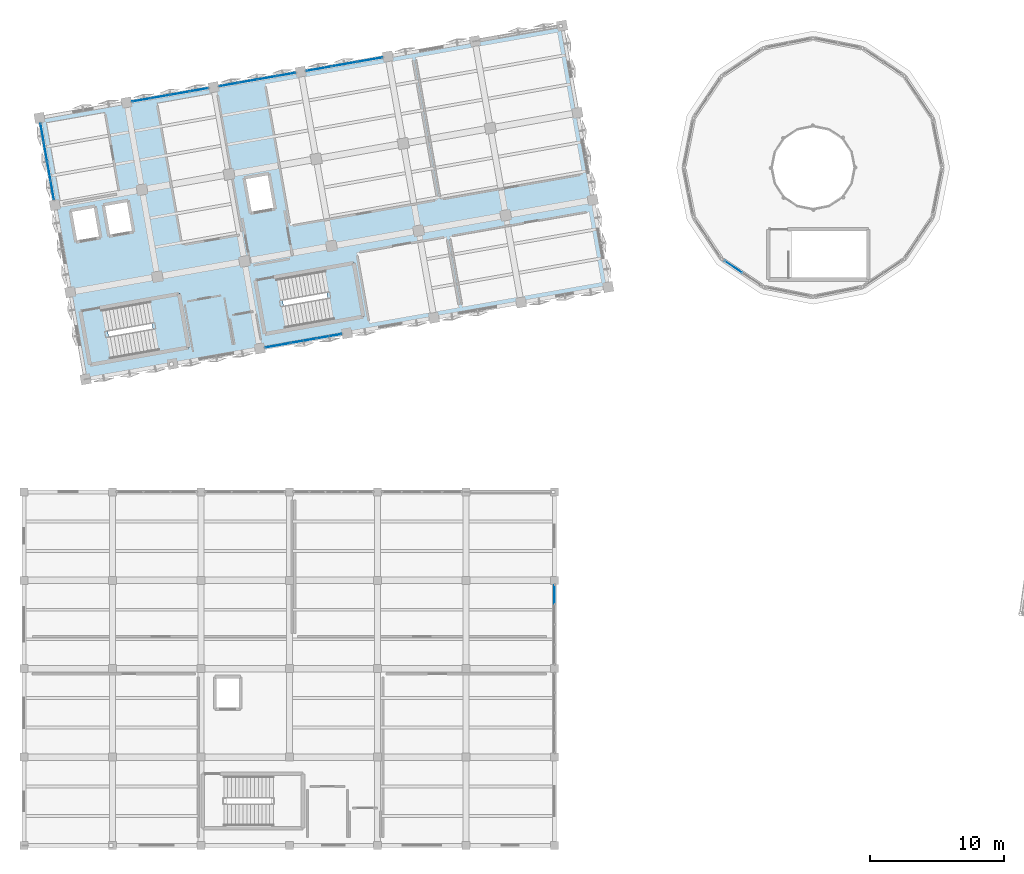
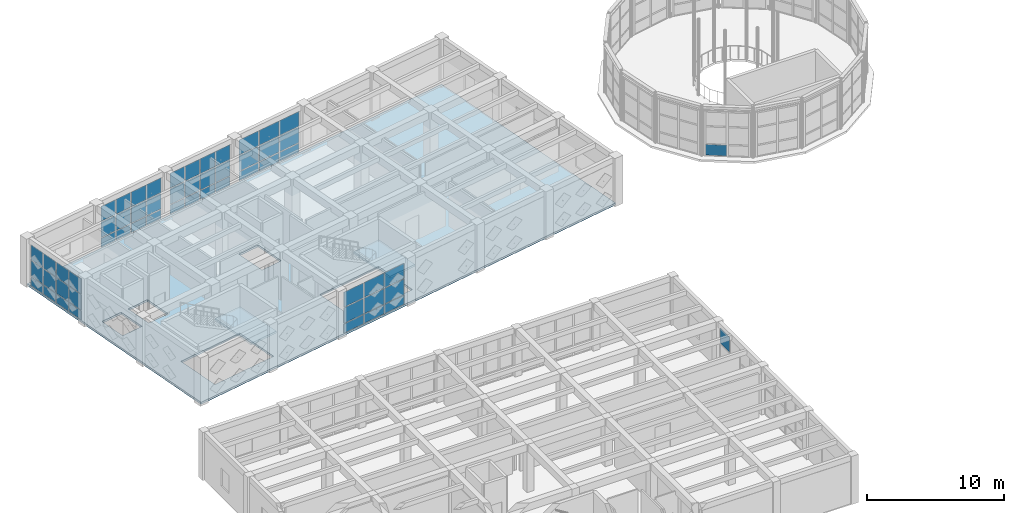
# One storey, part 53 of 80: 56 plates, 3 slabs, 9 elements without a shape of their own.
"""IFC4 building model written with IfcOpenShell, lengths in metres."""

from ifc_helpers import new_model, si_unit, direction, frame, origin, origin_2d, place, context, subcontext, project, spatial, polyline, rectangle, outline, extrude, material, layer, layer_set, type_object, element, aggregate, save


model = new_model("IFC4")

# Units and contexts
model_context = context("Model", 3, precision=1e-05, world=origin(), true_north=direction((0.0, 1.0)))
body_context = subcontext(model_context, "Body", "Model", "MODEL_VIEW")
ifc_project = project(units=[si_unit("LENGTHUNIT", "METRE"), si_unit("AREAUNIT", "SQUARE_METRE"), si_unit("VOLUMEUNIT", "CUBIC_METRE"), si_unit("PLANEANGLEUNIT", "RADIAN"), si_unit("MASSUNIT", "GRAM", prefix="KILO")], contexts=[model_context])

# Site, building, storey
site_placement = place(None, origin())
site = spatial("IfcSite", under=ifc_project, at=site_placement, CompositionType="ELEMENT")
building_placement = place(site_placement, origin())
building = spatial("IfcBuilding", under=site, at=building_placement, Name="Kharisveld Research Institute", CompositionType="ELEMENT")
storey_placement = place(building_placement, frame((0.0, 0.0, 5.10009765625)))
storey = spatial("IfcBuildingStorey", under=building, at=storey_placement, Name="L01", CompositionType="ELEMENT", Elevation=5.10009765625)

# Curtain wall, plates
ifc_material_1 = material(Name="Thermally Broken Aluminium Curtain Wall", Category="aluminium")
ifc_layer_1 = layer(ifc_material_1, 0.159912109375)
ifc_layer_set_1 = layer_set([ifc_layer_1], Name="CW_SYS_02")
curtain_wall_type_1 = type_object("IfcCurtainWallType", Name="CW_SYS_02", PredefinedType="NOTDEFINED", material=ifc_layer_set_1)
curtain_wall_1_placement = place(storey_placement, origin())
curtain_wall_1 = element("IfcCurtainWall", 1, at=curtain_wall_1_placement, inside=storey, type_object=curtain_wall_type_1, Name="CW:V1:L01:W2", PredefinedType="NOTDEFINED")
ifc_material_2 = material(Name="Low-E Double Glazing", Category="glass")
ifc_layer_2 = layer(ifc_material_2, 0.028076171875)
ifc_layer_set_2 = layer_set([ifc_layer_2], Name="CW_PNL_GLZ")
plate_type_1 = type_object("IfcPlateType", Name="CW_PNL_GLZ", PredefinedType="CURTAIN_PANEL", material=ifc_layer_set_2)
plate_1_placement = place(storey_placement, frame((2.71337890625, 49.112548828125, 0.06494140625), z_axis=(0.0, 0.0, 1.0), x_axis=(-0.173648107969, 0.984807765302, 0.0)))
plate_1 = element("IfcPlate", 2, at=plate_1_placement, type_object=plate_type_1, Name="CW-02 panel 1.1", PredefinedType="CURTAIN_PANEL", context=body_context, shape_type="SweptSolid", body=[
    extrude(rectangle(XDim=1.360107421875, YDim=0.028076171875, at=origin_2d()), origin(), (0.0, 0.0, 1.0), 0.802490234375),
])
plate_2_placement = place(storey_placement, frame((2.71337890625, 49.112548828125, 0.9326171875), z_axis=(0.0, 0.0, 1.0), x_axis=(-0.173648107969, 0.984807765302, 0.0)))
plate_2 = element("IfcPlate", 3, at=plate_2_placement, type_object=plate_type_1, Name="CW-02 panel 1.2", PredefinedType="CURTAIN_PANEL", context=body_context, shape_type="SweptSolid", body=[
    extrude(rectangle(XDim=1.360107421875, YDim=0.028076171875, at=origin_2d()), origin(), (0.0, 0.0, 1.0), 1.385009765625),
])
plate_3_placement = place(storey_placement, frame((2.71337890625, 49.112548828125, 2.38232421875), z_axis=(0.0, 0.0, 1.0), x_axis=(-0.173648107969, 0.984807765302, 0.0)))
plate_3 = element("IfcPlate", 4, at=plate_3_placement, type_object=plate_type_1, Name="CW-02 panel 1.3", PredefinedType="CURTAIN_PANEL", context=body_context, shape_type="SweptSolid", body=[
    extrude(rectangle(XDim=1.360107421875, YDim=0.028076171875, at=origin_2d()), origin(), (0.0, 0.0, 1.0), 1.33251953125),
])
plate_4_placement = place(storey_placement, frame((2.4619140625, 50.537841796875, 0.06494140625), z_axis=(0.0, 0.0, 1.0), x_axis=(-0.173648107969, 0.984807765302, 0.0)))
plate_4 = element("IfcPlate", 5, at=plate_4_placement, type_object=plate_type_1, Name="CW-02 panel 2.1", PredefinedType="CURTAIN_PANEL", context=body_context, shape_type="SweptSolid", body=[
    extrude(rectangle(XDim=1.39501953125, YDim=0.028076171875, at=origin_2d()), origin(), (0.0, 0.0, 1.0), 0.802490234375),
])
plate_5_placement = place(storey_placement, frame((2.4619140625, 50.537841796875, 0.9326171875), z_axis=(0.0, 0.0, 1.0), x_axis=(-0.173648107969, 0.984807765302, 0.0)))
plate_5 = element("IfcPlate", 6, at=plate_5_placement, type_object=plate_type_1, Name="CW-02 panel 2.2", PredefinedType="CURTAIN_PANEL", context=body_context, shape_type="SweptSolid", body=[
    extrude(rectangle(XDim=1.39501953125, YDim=0.028076171875, at=origin_2d()), origin(), (0.0, 0.0, 1.0), 1.385009765625),
])
plate_6_placement = place(storey_placement, frame((2.4619140625, 50.537841796875, 2.38232421875), z_axis=(0.0, 0.0, 1.0), x_axis=(-0.173648107969, 0.984807765302, 0.0)))
plate_6 = element("IfcPlate", 7, at=plate_6_placement, type_object=plate_type_1, Name="CW-02 panel 2.3", PredefinedType="CURTAIN_PANEL", context=body_context, shape_type="SweptSolid", body=[
    extrude(rectangle(XDim=1.39501953125, YDim=0.028076171875, at=origin_2d()), origin(), (0.0, 0.0, 1.0), 1.33251953125),
])
plate_7_placement = place(storey_placement, frame((2.20751953125, 51.980712890625, 0.06494140625), z_axis=(0.0, 0.0, 1.0), x_axis=(-0.173648107969, 0.984807765302, 0.0)))
plate_7 = element("IfcPlate", 8, at=plate_7_placement, type_object=plate_type_1, Name="CW-02 panel 3.1", PredefinedType="CURTAIN_PANEL", context=body_context, shape_type="SweptSolid", body=[
    extrude(rectangle(XDim=1.39501953125, YDim=0.028076171875, at=origin_2d()), origin(), (0.0, 0.0, 1.0), 0.802490234375),
])
plate_8_placement = place(storey_placement, frame((2.20751953125, 51.980712890625, 0.9326171875), z_axis=(0.0, 0.0, 1.0), x_axis=(-0.173648107969, 0.984807765302, 0.0)))
plate_8 = element("IfcPlate", 9, at=plate_8_placement, type_object=plate_type_1, Name="CW-02 panel 3.2", PredefinedType="CURTAIN_PANEL", context=body_context, shape_type="SweptSolid", body=[
    extrude(rectangle(XDim=1.39501953125, YDim=0.028076171875, at=origin_2d()), origin(), (0.0, 0.0, 1.0), 1.385009765625),
])
plate_9_placement = place(storey_placement, frame((2.20751953125, 51.980712890625, 2.38232421875), z_axis=(0.0, 0.0, 1.0), x_axis=(-0.173648107969, 0.984807765302, 0.0)))
plate_9 = element("IfcPlate", 10, at=plate_9_placement, type_object=plate_type_1, Name="CW-02 panel 3.3", PredefinedType="CURTAIN_PANEL", context=body_context, shape_type="SweptSolid", body=[
    extrude(rectangle(XDim=1.39501953125, YDim=0.028076171875, at=origin_2d()), origin(), (0.0, 0.0, 1.0), 1.33251953125),
])
plate_10_placement = place(storey_placement, frame((1.956298828125, 53.40625, 0.06494140625), z_axis=(0.0, 0.0, 1.0), x_axis=(-0.173648107969, 0.984807765302, 0.0)))
plate_10 = element("IfcPlate", 11, at=plate_10_placement, type_object=plate_type_1, Name="CW-02 panel 4.1", PredefinedType="CURTAIN_PANEL", context=body_context, shape_type="SweptSolid", body=[
    extrude(rectangle(XDim=1.360107421875, YDim=0.028076171875, at=origin_2d()), origin(), (0.0, 0.0, 1.0), 0.802490234375),
])
plate_11_placement = place(storey_placement, frame((1.956298828125, 53.40625, 0.9326171875), z_axis=(0.0, 0.0, 1.0), x_axis=(-0.173648107969, 0.984807765302, 0.0)))
plate_11 = element("IfcPlate", 12, at=plate_11_placement, type_object=plate_type_1, Name="CW-02 panel 4.2", PredefinedType="CURTAIN_PANEL", context=body_context, shape_type="SweptSolid", body=[
    extrude(rectangle(XDim=1.360107421875, YDim=0.028076171875, at=origin_2d()), origin(), (0.0, 0.0, 1.0), 1.385009765625),
])
plate_12_placement = place(storey_placement, frame((1.956298828125, 53.40625, 2.38232421875), z_axis=(0.0, 0.0, 1.0), x_axis=(-0.173648107969, 0.984807765302, 0.0)))
plate_12 = element("IfcPlate", 13, at=plate_12_placement, type_object=plate_type_1, Name="CW-02 panel 4.3", PredefinedType="CURTAIN_PANEL", context=body_context, shape_type="SweptSolid", body=[
    extrude(rectangle(XDim=1.360107421875, YDim=0.028076171875, at=origin_2d()), origin(), (0.0, 0.0, 1.0), 1.33251953125),
])
aggregate(curtain_wall_1, [plate_1, plate_2, plate_3, plate_4, plate_5, plate_6, plate_7, plate_8, plate_9, plate_10, plate_11, plate_12])

ifc_material_3 = material(Name="Thermally Broken Aluminium Curtain Wall", Category="aluminium")
ifc_layer_3 = layer(ifc_material_3, 0.159912109375)
ifc_layer_set_3 = layer_set([ifc_layer_3], Name="CW_SYS_03")
curtain_wall_type_2 = type_object("IfcCurtainWallType", Name="CW_SYS_03", PredefinedType="NOTDEFINED", material=ifc_layer_set_3)
curtain_wall_2_placement = place(storey_placement, origin())
curtain_wall_2 = element("IfcCurtainWall", 14, at=curtain_wall_2_placement, inside=storey, type_object=curtain_wall_type_2, Name="CW:V1:L01:N1", PredefinedType="NOTDEFINED")
plate_13_placement = place(storey_placement, frame((9.364501953125, 55.849853515625, 0.06494140625), z_axis=(0.0, 0.0, 1.0), x_axis=(0.984807760159, 0.173648137137, 0.0)))
plate_13 = element("IfcPlate", 15, at=plate_13_placement, type_object=plate_type_1, Name="CW-03 panel 1.1", PredefinedType="CURTAIN_PANEL", context=body_context, shape_type="SweptSolid", body=[
    extrude(rectangle(XDim=1.360107421875, YDim=0.028076171875, at=origin_2d()), origin(), (0.0, 0.0, 1.0), 0.802490234375),
])
plate_14_placement = place(storey_placement, frame((9.364501953125, 55.849853515625, 0.9326171875), z_axis=(0.0, 0.0, 1.0), x_axis=(0.984807760159, 0.173648137137, 0.0)))
plate_14 = element("IfcPlate", 16, at=plate_14_placement, type_object=plate_type_1, Name="CW-03 panel 1.2", PredefinedType="CURTAIN_PANEL", context=body_context, shape_type="SweptSolid", body=[
    extrude(rectangle(XDim=1.360107421875, YDim=0.028076171875, at=origin_2d()), origin(), (0.0, 0.0, 1.0), 1.385009765625),
])
plate_15_placement = place(storey_placement, frame((9.364501953125, 55.849853515625, 2.38232421875), z_axis=(0.0, 0.0, 1.0), x_axis=(0.984807760159, 0.173648137137, 0.0)))
plate_15 = element("IfcPlate", 17, at=plate_15_placement, type_object=plate_type_1, Name="CW-03 panel 1.3", PredefinedType="CURTAIN_PANEL", context=body_context, shape_type="SweptSolid", body=[
    extrude(rectangle(XDim=1.360107421875, YDim=0.028076171875, at=origin_2d()), origin(), (0.0, 0.0, 1.0), 1.33251953125),
])
plate_16_placement = place(storey_placement, frame((10.7900390625, 56.10107421875, 0.06494140625), z_axis=(0.0, 0.0, 1.0), x_axis=(0.984807760159, 0.173648137137, 0.0)))
plate_16 = element("IfcPlate", 18, at=plate_16_placement, type_object=plate_type_1, Name="CW-03 panel 2.1", PredefinedType="CURTAIN_PANEL", context=body_context, shape_type="SweptSolid", body=[
    extrude(rectangle(XDim=1.39501953125, YDim=0.028076171875, at=origin_2d()), origin(), (0.0, 0.0, 1.0), 0.802490234375),
])
plate_17_placement = place(storey_placement, frame((10.7900390625, 56.10107421875, 0.9326171875), z_axis=(0.0, 0.0, 1.0), x_axis=(0.984807760159, 0.173648137137, 0.0)))
plate_17 = element("IfcPlate", 19, at=plate_17_placement, type_object=plate_type_1, Name="CW-03 panel 2.2", PredefinedType="CURTAIN_PANEL", context=body_context, shape_type="SweptSolid", body=[
    extrude(rectangle(XDim=1.39501953125, YDim=0.028076171875, at=origin_2d()), origin(), (0.0, 0.0, 1.0), 1.385009765625),
])
plate_18_placement = place(storey_placement, frame((10.7900390625, 56.10107421875, 2.38232421875), z_axis=(0.0, 0.0, 1.0), x_axis=(0.984807760159, 0.173648137137, 0.0)))
plate_18 = element("IfcPlate", 20, at=plate_18_placement, type_object=plate_type_1, Name="CW-03 panel 2.3", PredefinedType="CURTAIN_PANEL", context=body_context, shape_type="SweptSolid", body=[
    extrude(rectangle(XDim=1.39501953125, YDim=0.028076171875, at=origin_2d()), origin(), (0.0, 0.0, 1.0), 1.33251953125),
])
plate_19_placement = place(storey_placement, frame((12.232666015625, 56.35546875, 0.06494140625), z_axis=(0.0, 0.0, 1.0), x_axis=(0.984807760159, 0.173648137137, 0.0)))
plate_19 = element("IfcPlate", 21, at=plate_19_placement, type_object=plate_type_1, Name="CW-03 panel 3.1", PredefinedType="CURTAIN_PANEL", context=body_context, shape_type="SweptSolid", body=[
    extrude(rectangle(XDim=1.39501953125, YDim=0.028076171875, at=origin_2d()), origin(), (0.0, 0.0, 1.0), 0.802490234375),
])
plate_20_placement = place(storey_placement, frame((12.232666015625, 56.35546875, 0.9326171875), z_axis=(0.0, 0.0, 1.0), x_axis=(0.984807760159, 0.173648137137, 0.0)))
plate_20 = element("IfcPlate", 22, at=plate_20_placement, type_object=plate_type_1, Name="CW-03 panel 3.2", PredefinedType="CURTAIN_PANEL", context=body_context, shape_type="SweptSolid", body=[
    extrude(rectangle(XDim=1.39501953125, YDim=0.028076171875, at=origin_2d()), origin(), (0.0, 0.0, 1.0), 1.385009765625),
])
plate_21_placement = place(storey_placement, frame((12.232666015625, 56.35546875, 2.38232421875), z_axis=(0.0, 0.0, 1.0), x_axis=(0.984807760159, 0.173648137137, 0.0)))
plate_21 = element("IfcPlate", 23, at=plate_21_placement, type_object=plate_type_1, Name="CW-03 panel 3.3", PredefinedType="CURTAIN_PANEL", context=body_context, shape_type="SweptSolid", body=[
    extrude(rectangle(XDim=1.39501953125, YDim=0.028076171875, at=origin_2d()), origin(), (0.0, 0.0, 1.0), 1.33251953125),
])
plate_22_placement = place(storey_placement, frame((13.658203125, 56.60693359375, 0.06494140625), z_axis=(0.0, 0.0, 1.0), x_axis=(0.984807760159, 0.173648137137, 0.0)))
plate_22 = element("IfcPlate", 24, at=plate_22_placement, type_object=plate_type_1, Name="CW-03 panel 4.1", PredefinedType="CURTAIN_PANEL", context=body_context, shape_type="SweptSolid", body=[
    extrude(rectangle(XDim=1.360107421875, YDim=0.028076171875, at=origin_2d()), origin(), (0.0, 0.0, 1.0), 0.802490234375),
])
plate_23_placement = place(storey_placement, frame((13.658203125, 56.60693359375, 0.9326171875), z_axis=(0.0, 0.0, 1.0), x_axis=(0.984807760159, 0.173648137137, 0.0)))
plate_23 = element("IfcPlate", 25, at=plate_23_placement, type_object=plate_type_1, Name="CW-03 panel 4.2", PredefinedType="CURTAIN_PANEL", context=body_context, shape_type="SweptSolid", body=[
    extrude(rectangle(XDim=1.360107421875, YDim=0.028076171875, at=origin_2d()), origin(), (0.0, 0.0, 1.0), 1.385009765625),
])
plate_24_placement = place(storey_placement, frame((13.658203125, 56.60693359375, 2.38232421875), z_axis=(0.0, 0.0, 1.0), x_axis=(0.984807760159, 0.173648137137, 0.0)))
plate_24 = element("IfcPlate", 26, at=plate_24_placement, type_object=plate_type_1, Name="CW-03 panel 4.3", PredefinedType="CURTAIN_PANEL", context=body_context, shape_type="SweptSolid", body=[
    extrude(rectangle(XDim=1.360107421875, YDim=0.028076171875, at=origin_2d()), origin(), (0.0, 0.0, 1.0), 1.33251953125),
])
aggregate(curtain_wall_2, [plate_13, plate_14, plate_15, plate_16, plate_17, plate_18, plate_19, plate_20, plate_21, plate_22, plate_23, plate_24])

ifc_material_4 = material(Name="Thermally Broken Aluminium Curtain Wall", Category="aluminium")
ifc_layer_4 = layer(ifc_material_4, 0.159912109375)
ifc_layer_set_4 = layer_set([ifc_layer_4], Name="CW_SYS_04")
curtain_wall_type_3 = type_object("IfcCurtainWallType", Name="CW_SYS_04", PredefinedType="NOTDEFINED", material=ifc_layer_set_4)
curtain_wall_3_placement = place(storey_placement, origin())
curtain_wall_3 = element("IfcCurtainWall", 27, at=curtain_wall_3_placement, inside=storey, type_object=curtain_wall_type_3, Name="CW:V1:L01:N2", PredefinedType="NOTDEFINED")
plate_25_placement = place(storey_placement, frame((15.8642578125, 56.995849609375, 0.06494140625), z_axis=(0.0, 0.0, 1.0), x_axis=(0.984807765302, 0.173648107969, 0.0)))
plate_25 = element("IfcPlate", 28, at=plate_25_placement, type_object=plate_type_1, Name="CW-04 panel 1.1", PredefinedType="CURTAIN_PANEL", context=body_context, shape_type="SweptSolid", body=[
    extrude(rectangle(XDim=1.360107421875, YDim=0.028076171875, at=origin_2d()), origin(), (0.0, 0.0, 1.0), 0.802490234375),
])
plate_26_placement = place(storey_placement, frame((15.8642578125, 56.995849609375, 0.9326171875), z_axis=(0.0, 0.0, 1.0), x_axis=(0.984807765302, 0.173648107969, 0.0)))
plate_26 = element("IfcPlate", 29, at=plate_26_placement, type_object=plate_type_1, Name="CW-04 panel 1.2", PredefinedType="CURTAIN_PANEL", context=body_context, shape_type="SweptSolid", body=[
    extrude(rectangle(XDim=1.360107421875, YDim=0.028076171875, at=origin_2d()), origin(), (0.0, 0.0, 1.0), 1.385009765625),
])
plate_27_placement = place(storey_placement, frame((15.8642578125, 56.995849609375, 2.38232421875), z_axis=(0.0, 0.0, 1.0), x_axis=(0.984807765302, 0.173648107969, 0.0)))
plate_27 = element("IfcPlate", 30, at=plate_27_placement, type_object=plate_type_1, Name="CW-04 panel 1.3", PredefinedType="CURTAIN_PANEL", context=body_context, shape_type="SweptSolid", body=[
    extrude(rectangle(XDim=1.360107421875, YDim=0.028076171875, at=origin_2d()), origin(), (0.0, 0.0, 1.0), 1.33251953125),
])
plate_28_placement = place(storey_placement, frame((17.289794921875, 57.2470703125, 0.06494140625), z_axis=(0.0, 0.0, 1.0), x_axis=(0.984807765302, 0.173648107969, 0.0)))
plate_28 = element("IfcPlate", 31, at=plate_28_placement, type_object=plate_type_1, Name="CW-04 panel 2.1", PredefinedType="CURTAIN_PANEL", context=body_context, shape_type="SweptSolid", body=[
    extrude(rectangle(XDim=1.39501953125, YDim=0.028076171875, at=origin_2d()), origin(), (0.0, 0.0, 1.0), 0.802490234375),
])
plate_29_placement = place(storey_placement, frame((17.289794921875, 57.2470703125, 0.9326171875), z_axis=(0.0, 0.0, 1.0), x_axis=(0.984807765302, 0.173648107969, 0.0)))
plate_29 = element("IfcPlate", 32, at=plate_29_placement, type_object=plate_type_1, Name="CW-04 panel 2.2", PredefinedType="CURTAIN_PANEL", context=body_context, shape_type="SweptSolid", body=[
    extrude(rectangle(XDim=1.39501953125, YDim=0.028076171875, at=origin_2d()), origin(), (0.0, 0.0, 1.0), 1.385009765625),
])
plate_30_placement = place(storey_placement, frame((17.289794921875, 57.2470703125, 2.38232421875), z_axis=(0.0, 0.0, 1.0), x_axis=(0.984807765302, 0.173648107969, 0.0)))
plate_30 = element("IfcPlate", 33, at=plate_30_placement, type_object=plate_type_1, Name="CW-04 panel 2.3", PredefinedType="CURTAIN_PANEL", context=body_context, shape_type="SweptSolid", body=[
    extrude(rectangle(XDim=1.39501953125, YDim=0.028076171875, at=origin_2d()), origin(), (0.0, 0.0, 1.0), 1.33251953125),
])
plate_31_placement = place(storey_placement, frame((18.732421875, 57.50146484375, 0.06494140625), z_axis=(0.0, 0.0, 1.0), x_axis=(0.984807765302, 0.173648107969, 0.0)))
plate_31 = element("IfcPlate", 34, at=plate_31_placement, type_object=plate_type_1, Name="CW-04 panel 3.1", PredefinedType="CURTAIN_PANEL", context=body_context, shape_type="SweptSolid", body=[
    extrude(rectangle(XDim=1.39501953125, YDim=0.028076171875, at=origin_2d()), origin(), (0.0, 0.0, 1.0), 0.802490234375),
])
plate_32_placement = place(storey_placement, frame((18.732421875, 57.50146484375, 0.9326171875), z_axis=(0.0, 0.0, 1.0), x_axis=(0.984807765302, 0.173648107969, 0.0)))
plate_32 = element("IfcPlate", 35, at=plate_32_placement, type_object=plate_type_1, Name="CW-04 panel 3.2", PredefinedType="CURTAIN_PANEL", context=body_context, shape_type="SweptSolid", body=[
    extrude(rectangle(XDim=1.39501953125, YDim=0.028076171875, at=origin_2d()), origin(), (0.0, 0.0, 1.0), 1.385009765625),
])
plate_33_placement = place(storey_placement, frame((18.732421875, 57.50146484375, 2.38232421875), z_axis=(0.0, 0.0, 1.0), x_axis=(0.984807765302, 0.173648107969, 0.0)))
plate_33 = element("IfcPlate", 36, at=plate_33_placement, type_object=plate_type_1, Name="CW-04 panel 3.3", PredefinedType="CURTAIN_PANEL", context=body_context, shape_type="SweptSolid", body=[
    extrude(rectangle(XDim=1.39501953125, YDim=0.028076171875, at=origin_2d()), origin(), (0.0, 0.0, 1.0), 1.33251953125),
])
plate_34_placement = place(storey_placement, frame((20.157958984375, 57.7529296875, 0.06494140625), z_axis=(0.0, 0.0, 1.0), x_axis=(0.984807765302, 0.173648107969, 0.0)))
plate_34 = element("IfcPlate", 37, at=plate_34_placement, type_object=plate_type_1, Name="CW-04 panel 4.1", PredefinedType="CURTAIN_PANEL", context=body_context, shape_type="SweptSolid", body=[
    extrude(rectangle(XDim=1.360107421875, YDim=0.028076171875, at=origin_2d()), origin(), (0.0, 0.0, 1.0), 0.802490234375),
])
plate_35_placement = place(storey_placement, frame((20.157958984375, 57.7529296875, 0.9326171875), z_axis=(0.0, 0.0, 1.0), x_axis=(0.984807765302, 0.173648107969, 0.0)))
plate_35 = element("IfcPlate", 38, at=plate_35_placement, type_object=plate_type_1, Name="CW-04 panel 4.2", PredefinedType="CURTAIN_PANEL", context=body_context, shape_type="SweptSolid", body=[
    extrude(rectangle(XDim=1.360107421875, YDim=0.028076171875, at=origin_2d()), origin(), (0.0, 0.0, 1.0), 1.385009765625),
])
plate_36_placement = place(storey_placement, frame((20.157958984375, 57.7529296875, 2.38232421875), z_axis=(0.0, 0.0, 1.0), x_axis=(0.984807765302, 0.173648107969, 0.0)))
plate_36 = element("IfcPlate", 39, at=plate_36_placement, type_object=plate_type_1, Name="CW-04 panel 4.3", PredefinedType="CURTAIN_PANEL", context=body_context, shape_type="SweptSolid", body=[
    extrude(rectangle(XDim=1.360107421875, YDim=0.028076171875, at=origin_2d()), origin(), (0.0, 0.0, 1.0), 1.33251953125),
])
aggregate(curtain_wall_3, [plate_25, plate_26, plate_27, plate_28, plate_29, plate_30, plate_31, plate_32, plate_33, plate_34, plate_35, plate_36])

ifc_material_5 = material(Name="Thermally Broken Aluminium Curtain Wall", Category="aluminium")
ifc_layer_5 = layer(ifc_material_5, 0.159912109375)
ifc_layer_set_5 = layer_set([ifc_layer_5], Name="CW_SYS_05")
curtain_wall_type_4 = type_object("IfcCurtainWallType", Name="CW_SYS_05", PredefinedType="NOTDEFINED", material=ifc_layer_set_5)
curtain_wall_4_placement = place(storey_placement, origin())
curtain_wall_4 = element("IfcCurtainWall", 40, at=curtain_wall_4_placement, inside=storey, type_object=curtain_wall_type_4, Name="CW:V1:L01:N3", PredefinedType="NOTDEFINED")
plate_37_placement = place(storey_placement, frame((22.6044921875, 58.184326171875, 0.06494140625), z_axis=(0.0, 0.0, 1.0), x_axis=(0.984807760159, 0.173648137137, 0.0)))
plate_37 = element("IfcPlate", 41, at=plate_37_placement, type_object=plate_type_1, Name="CW-05 panel 1.1", PredefinedType="CURTAIN_PANEL", context=body_context, shape_type="SweptSolid", body=[
    extrude(rectangle(XDim=1.848388671875, YDim=0.028076171875, at=origin_2d()), origin(), (0.0, 0.0, 1.0), 0.802490234375),
])
plate_38_placement = place(storey_placement, frame((22.6044921875, 58.184326171875, 0.9326171875), z_axis=(0.0, 0.0, 1.0), x_axis=(0.984807760159, 0.173648137137, 0.0)))
plate_38 = element("IfcPlate", 42, at=plate_38_placement, type_object=plate_type_1, Name="CW-05 panel 1.2", PredefinedType="CURTAIN_PANEL", context=body_context, shape_type="SweptSolid", body=[
    extrude(rectangle(XDim=1.848388671875, YDim=0.028076171875, at=origin_2d()), origin(), (0.0, 0.0, 1.0), 1.385009765625),
])
plate_39_placement = place(storey_placement, frame((22.6044921875, 58.184326171875, 2.38232421875), z_axis=(0.0, 0.0, 1.0), x_axis=(0.984807760159, 0.173648137137, 0.0)))
plate_39 = element("IfcPlate", 43, at=plate_39_placement, type_object=plate_type_1, Name="CW-05 panel 1.3", PredefinedType="CURTAIN_PANEL", context=body_context, shape_type="SweptSolid", body=[
    extrude(rectangle(XDim=1.848388671875, YDim=0.028076171875, at=origin_2d()), origin(), (0.0, 0.0, 1.0), 1.33251953125),
])
plate_40_placement = place(storey_placement, frame((24.5107421875, 58.5205078125, 0.06494140625), z_axis=(0.0, 0.0, 1.0), x_axis=(0.984807760159, 0.173648137137, 0.0)))
plate_40 = element("IfcPlate", 44, at=plate_40_placement, type_object=plate_type_1, Name="CW-05 panel 2.1", PredefinedType="CURTAIN_PANEL", context=body_context, shape_type="SweptSolid", body=[
    extrude(rectangle(XDim=1.88330078125, YDim=0.028076171875, at=origin_2d()), origin(), (0.0, 0.0, 1.0), 0.802490234375),
])
plate_41_placement = place(storey_placement, frame((24.5107421875, 58.5205078125, 0.9326171875), z_axis=(0.0, 0.0, 1.0), x_axis=(0.984807760159, 0.173648137137, 0.0)))
plate_41 = element("IfcPlate", 45, at=plate_41_placement, type_object=plate_type_1, Name="CW-05 panel 2.2", PredefinedType="CURTAIN_PANEL", context=body_context, shape_type="SweptSolid", body=[
    extrude(rectangle(XDim=1.88330078125, YDim=0.028076171875, at=origin_2d()), origin(), (0.0, 0.0, 1.0), 1.385009765625),
])
plate_42_placement = place(storey_placement, frame((24.5107421875, 58.5205078125, 2.38232421875), z_axis=(0.0, 0.0, 1.0), x_axis=(0.984807760159, 0.173648137137, 0.0)))
plate_42 = element("IfcPlate", 46, at=plate_42_placement, type_object=plate_type_1, Name="CW-05 panel 2.3", PredefinedType="CURTAIN_PANEL", context=body_context, shape_type="SweptSolid", body=[
    extrude(rectangle(XDim=1.88330078125, YDim=0.028076171875, at=origin_2d()), origin(), (0.0, 0.0, 1.0), 1.33251953125),
])
plate_43_placement = place(storey_placement, frame((26.417236328125, 58.856689453125, 0.06494140625), z_axis=(0.0, 0.0, 1.0), x_axis=(0.984807760159, 0.173648137137, 0.0)))
plate_43 = element("IfcPlate", 47, at=plate_43_placement, type_object=plate_type_1, Name="CW-05 panel 3.1", PredefinedType="CURTAIN_PANEL", context=body_context, shape_type="SweptSolid", body=[
    extrude(rectangle(XDim=1.848388671875, YDim=0.028076171875, at=origin_2d()), origin(), (0.0, 0.0, 1.0), 0.802490234375),
])
plate_44_placement = place(storey_placement, frame((26.417236328125, 58.856689453125, 0.9326171875), z_axis=(0.0, 0.0, 1.0), x_axis=(0.984807760159, 0.173648137137, 0.0)))
plate_44 = element("IfcPlate", 48, at=plate_44_placement, type_object=plate_type_1, Name="CW-05 panel 3.2", PredefinedType="CURTAIN_PANEL", context=body_context, shape_type="SweptSolid", body=[
    extrude(rectangle(XDim=1.848388671875, YDim=0.028076171875, at=origin_2d()), origin(), (0.0, 0.0, 1.0), 1.385009765625),
])
plate_45_placement = place(storey_placement, frame((26.417236328125, 58.856689453125, 2.38232421875), z_axis=(0.0, 0.0, 1.0), x_axis=(0.984807760159, 0.173648137137, 0.0)))
plate_45 = element("IfcPlate", 49, at=plate_45_placement, type_object=plate_type_1, Name="CW-05 panel 3.3", PredefinedType="CURTAIN_PANEL", context=body_context, shape_type="SweptSolid", body=[
    extrude(rectangle(XDim=1.848388671875, YDim=0.028076171875, at=origin_2d()), origin(), (0.0, 0.0, 1.0), 1.33251953125),
])
aggregate(curtain_wall_4, [plate_37, plate_38, plate_39, plate_40, plate_41, plate_42, plate_43, plate_44, plate_45])

# Curtain wall, plate
curtain_wall_5_placement = place(storey_placement, origin())
curtain_wall_5 = element("IfcCurtainWall", 50, at=curtain_wall_5_placement, inside=storey, type_object=curtain_wall_type_4, Name="CW:V6:L01:CHORD10", PredefinedType="NOTDEFINED")
plate_46_placement = place(storey_placement, frame((53.56201171875, 43.384765625, 0.059814453125), z_axis=(0.0, 0.0, 1.0), x_axis=(-0.831469694616, 0.555570109828, 0.0)))
plate_46 = element("IfcPlate", 51, at=plate_46_placement, type_object=plate_type_1, Name="CW-05 panel 2.1", PredefinedType="CURTAIN_PANEL", context=body_context, shape_type="SweptSolid", body=[
    extrude(rectangle(XDim=1.570068359375, YDim=0.028076171875, at=origin_2d()), origin(), (0.0, 0.0, 1.0), 0.9599609375),
])
aggregate(curtain_wall_5, [plate_46])

# Curtain wall, plates
ifc_material_6 = material(Name="Thermally Broken Aluminium Curtain Wall", Category="aluminium")
ifc_layer_6 = layer(ifc_material_6, 0.159912109375)
ifc_layer_set_6 = layer_set([ifc_layer_6], Name="CW_SYS_06")
curtain_wall_type_5 = type_object("IfcCurtainWallType", Name="CW_SYS_06", PredefinedType="NOTDEFINED", material=ifc_layer_set_6)
curtain_wall_6_placement = place(storey_placement, origin())
curtain_wall_6 = element("IfcCurtainWall", 52, at=curtain_wall_6_placement, inside=storey, type_object=curtain_wall_type_5, Name="CW:V1:L01:S3", PredefinedType="NOTDEFINED")
ifc_material_7 = material(Name="Insulated Spandrel Glazing", Category="glass")
ifc_layer_7 = layer(ifc_material_7, 0.035888671875)
ifc_layer_set_7 = layer_set([ifc_layer_7], Name="CW_PNL_SPD")
plate_type_2 = type_object("IfcPlateType", Name="CW_PNL_SPD", PredefinedType="CURTAIN_PANEL", material=ifc_layer_set_7)
plate_47_placement = place(storey_placement, frame((23.355712890625, 38.21142578125, 0.06494140625), z_axis=(0.0, 0.0, 1.0), x_axis=(-0.984807765302, -0.173648107969, 0.0)))
plate_47 = element("IfcPlate", 53, at=plate_47_placement, type_object=plate_type_2, Name="CW-06 panel 1.1", PredefinedType="CURTAIN_PANEL", context=body_context, shape_type="SweptSolid", body=[
    extrude(rectangle(XDim=1.848388671875, YDim=0.035888671875, at=origin_2d()), origin(), (0.0, 0.0, 1.0), 0.802490234375),
])
plate_48_placement = place(storey_placement, frame((23.355712890625, 38.21142578125, 0.9326171875), z_axis=(0.0, 0.0, 1.0), x_axis=(-0.984807765302, -0.173648107969, 0.0)))
plate_48 = element("IfcPlate", 54, at=plate_48_placement, type_object=plate_type_2, Name="CW-06 panel 1.2", PredefinedType="CURTAIN_PANEL", context=body_context, shape_type="SweptSolid", body=[
    extrude(rectangle(XDim=1.848388671875, YDim=0.035888671875, at=origin_2d()), origin(), (0.0, 0.0, 1.0), 1.385009765625),
])
plate_49_placement = place(storey_placement, frame((23.355712890625, 38.21142578125, 2.38232421875), z_axis=(0.0, 0.0, 1.0), x_axis=(-0.984807765302, -0.173648107969, 0.0)))
plate_49 = element("IfcPlate", 55, at=plate_49_placement, type_object=plate_type_2, Name="CW-06 panel 1.3", PredefinedType="CURTAIN_PANEL", context=body_context, shape_type="SweptSolid", body=[
    extrude(rectangle(XDim=1.848388671875, YDim=0.035888671875, at=origin_2d()), origin(), (0.0, 0.0, 1.0), 1.33251953125),
])
plate_50_placement = place(storey_placement, frame((21.44921875, 37.875244140625, 0.06494140625), z_axis=(0.0, 0.0, 1.0), x_axis=(-0.984807765302, -0.173648107969, 0.0)))
plate_50 = element("IfcPlate", 56, at=plate_50_placement, type_object=plate_type_2, Name="CW-06 panel 2.1", PredefinedType="CURTAIN_PANEL", context=body_context, shape_type="SweptSolid", body=[
    extrude(rectangle(XDim=1.88330078125, YDim=0.035888671875, at=origin_2d()), origin(), (0.0, 0.0, 1.0), 0.802490234375),
])
plate_51_placement = place(storey_placement, frame((21.44921875, 37.875244140625, 0.9326171875), z_axis=(0.0, 0.0, 1.0), x_axis=(-0.984807765302, -0.173648107969, 0.0)))
plate_51 = element("IfcPlate", 57, at=plate_51_placement, type_object=plate_type_2, Name="CW-06 panel 2.2", PredefinedType="CURTAIN_PANEL", context=body_context, shape_type="SweptSolid", body=[
    extrude(rectangle(XDim=1.88330078125, YDim=0.035888671875, at=origin_2d()), origin(), (0.0, 0.0, 1.0), 1.385009765625),
])
plate_52_placement = place(storey_placement, frame((21.44921875, 37.875244140625, 2.38232421875), z_axis=(0.0, 0.0, 1.0), x_axis=(-0.984807765302, -0.173648107969, 0.0)))
plate_52 = element("IfcPlate", 58, at=plate_52_placement, type_object=plate_type_2, Name="CW-06 panel 2.3", PredefinedType="CURTAIN_PANEL", context=body_context, shape_type="SweptSolid", body=[
    extrude(rectangle(XDim=1.88330078125, YDim=0.035888671875, at=origin_2d()), origin(), (0.0, 0.0, 1.0), 1.33251953125),
])
plate_53_placement = place(storey_placement, frame((19.54296875, 37.5390625, 0.06494140625), z_axis=(0.0, 0.0, 1.0), x_axis=(-0.984807765302, -0.173648107969, 0.0)))
plate_53 = element("IfcPlate", 59, at=plate_53_placement, type_object=plate_type_2, Name="CW-06 panel 3.1", PredefinedType="CURTAIN_PANEL", context=body_context, shape_type="SweptSolid", body=[
    extrude(rectangle(XDim=1.848388671875, YDim=0.035888671875, at=origin_2d()), origin(), (0.0, 0.0, 1.0), 0.802490234375),
])
plate_54_placement = place(storey_placement, frame((19.54296875, 37.5390625, 0.9326171875), z_axis=(0.0, 0.0, 1.0), x_axis=(-0.984807765302, -0.173648107969, 0.0)))
plate_54 = element("IfcPlate", 60, at=plate_54_placement, type_object=plate_type_2, Name="CW-06 panel 3.2", PredefinedType="CURTAIN_PANEL", context=body_context, shape_type="SweptSolid", body=[
    extrude(rectangle(XDim=1.848388671875, YDim=0.035888671875, at=origin_2d()), origin(), (0.0, 0.0, 1.0), 1.385009765625),
])
plate_55_placement = place(storey_placement, frame((19.54296875, 37.5390625, 2.38232421875), z_axis=(0.0, 0.0, 1.0), x_axis=(-0.984807765302, -0.173648107969, 0.0)))
plate_55 = element("IfcPlate", 61, at=plate_55_placement, type_object=plate_type_2, Name="CW-06 panel 3.3", PredefinedType="CURTAIN_PANEL", context=body_context, shape_type="SweptSolid", body=[
    extrude(rectangle(XDim=1.848388671875, YDim=0.035888671875, at=origin_2d()), origin(), (0.0, 0.0, 1.0), 1.33251953125),
])
aggregate(curtain_wall_6, [plate_47, plate_48, plate_49, plate_50, plate_51, plate_52, plate_53, plate_54, plate_55])

# Curtain wall, plate
curtain_wall_7_placement = place(storey_placement, origin())
curtain_wall_7 = element("IfcCurtainWall", 62, at=curtain_wall_7_placement, inside=storey, type_object=curtain_wall_type_2, Name="CW:V3:L01:E3", PredefinedType="NOTDEFINED")
plate_56_placement = place(storey_placement, frame((40.199951171875, 18.9375, 2.3798828125), z_axis=(0.0, 0.0, 1.0), x_axis=(0.0, -1.0, 0.0)))
plate_56 = element("IfcPlate", 63, at=plate_56_placement, type_object=plate_type_2, Name="CW-03 panel 1.3", PredefinedType="CURTAIN_PANEL", context=body_context, shape_type="SweptSolid", body=[
    extrude(rectangle(XDim=1.405029296875, YDim=0.035888671875, at=origin_2d()), origin(), (0.0, 0.0, 1.0), 1.340087890625),
])
aggregate(curtain_wall_7, [plate_56])

# Slab
ifc_material_8 = material(Name="Concrete C40/50", Category="concrete")
ifc_layer_8 = layer(ifc_material_8, 0.179931640625)
ifc_layer_set_8 = layer_set([ifc_layer_8], Name="SL_FLR_180")
slab_type_1 = type_object("IfcSlabType", Name="SL_FLR_180", PredefinedType="FLOOR", material=ifc_layer_set_8)
slab_1_placement = place(storey_placement, frame((0.0, 0.0, -0.18017578125)))
element("IfcSlab", 64, at=slab_1_placement, inside=storey, type_object=slab_type_1, Name="SLAB:V1:L01:MAIN", PredefinedType="FLOOR", context=body_context, shape_type="SweptSolid", body=[
    extrude(outline(polyline([(5.199951171875, 35.010009765625), (44.198486328125, 41.886474609375), (40.76025390625, 61.3857421875), (1.76171875, 54.50927734375), (5.199951171875, 35.010009765625)]), holes=[polyline([(12.73974609375, 37.45654296875), (7.224853515625, 36.48388671875), (6.554443359375, 40.285400390625), (12.0693359375, 41.2578125), (12.73974609375, 37.45654296875)]), polyline([(25.788330078125, 39.75732421875), (20.2734375, 38.784912109375), (19.603271484375, 42.586181640625), (25.1181640625, 43.55859375), (25.788330078125, 39.75732421875)]), polyline([(6.29931640625, 45.591552734375), (4.487060546875, 45.272216796875), (4.080810546875, 47.57666015625), (5.892822265625, 47.89599609375), (6.29931640625, 45.591552734375)]), polyline([(6.94921875, 45.706298828125), (6.54296875, 48.0107421875), (8.35498046875, 48.330322265625), (8.76123046875, 46.025634765625), (6.94921875, 45.706298828125)]), polyline([(17.5126953125, 47.41650390625), (17.05419921875, 50.016357421875), (18.8662109375, 50.3359375), (19.32470703125, 47.736083984375), (17.5126953125, 47.41650390625)])]), origin(), (0.0, 0.0, 1.0), 0.18017578125),
])

# Stair, slab
ifc_material_9 = material(Name="Concrete C40/50", Category="concrete")
stair_type = type_object("IfcStairType", Name="ST_EXIT_170", PredefinedType="TWO_STRAIGHT_RUN_STAIR", material=ifc_material_9)
stair_1_placement = place(storey_placement, origin())
stair_1 = element("IfcStair", 65, at=stair_1_placement, inside=storey, type_object=stair_type, Name="STR:ST1:L01", PredefinedType="TWO_STRAIGHT_RUN_STAIR")
ifc_material_10 = material(Name="Concrete C40/50", Category="concrete")
ifc_layer_9 = layer(ifc_material_10, 0.179931640625)
ifc_layer_set_9 = layer_set([ifc_layer_9], Name="SL_LND_180")
slab_type_2 = type_object("IfcSlabType", Name="SL_LND_180", PredefinedType="LANDING", material=ifc_layer_set_9)
slab_2_placement = place(storey_placement, frame((0.0, 0.0, 2.06982421875)))
slab_2 = element("IfcSlab", 66, at=slab_2_placement, type_object=slab_type_2, Name="ST-01 landing 1", PredefinedType="LANDING", context=body_context, shape_type="SweptSolid", body=[
    extrude(outline(polyline([(10.54150390625, 36.936767578125), (12.909912109375, 37.3544921875), (12.194580078125, 41.411865234375), (9.826171875, 40.994140625), (10.54150390625, 36.936767578125)])), origin(), (0.0, 0.0, 1.0), 0.18017578125),
])
aggregate(stair_1, [slab_2])

stair_2_placement = place(storey_placement, origin())
stair_2 = element("IfcStair", 67, at=stair_2_placement, inside=storey, type_object=stair_type, Name="STR:ST2:L01", PredefinedType="TWO_STRAIGHT_RUN_STAIR")
slab_3_placement = place(storey_placement, frame((0.0, 0.0, 2.06982421875)))
slab_3 = element("IfcSlab", 68, at=slab_3_placement, type_object=slab_type_2, Name="ST-02 landing 1", PredefinedType="LANDING", context=body_context, shape_type="SweptSolid", body=[
    extrude(outline(polyline([(23.59033203125, 39.237548828125), (25.958740234375, 39.6552734375), (25.243408203125, 43.712646484375), (22.874755859375, 43.295166015625), (23.59033203125, 39.237548828125)])), origin(), (0.0, 0.0, 1.0), 0.18017578125),
])
aggregate(stair_2, [slab_3])

save(model, "model.ifc")
